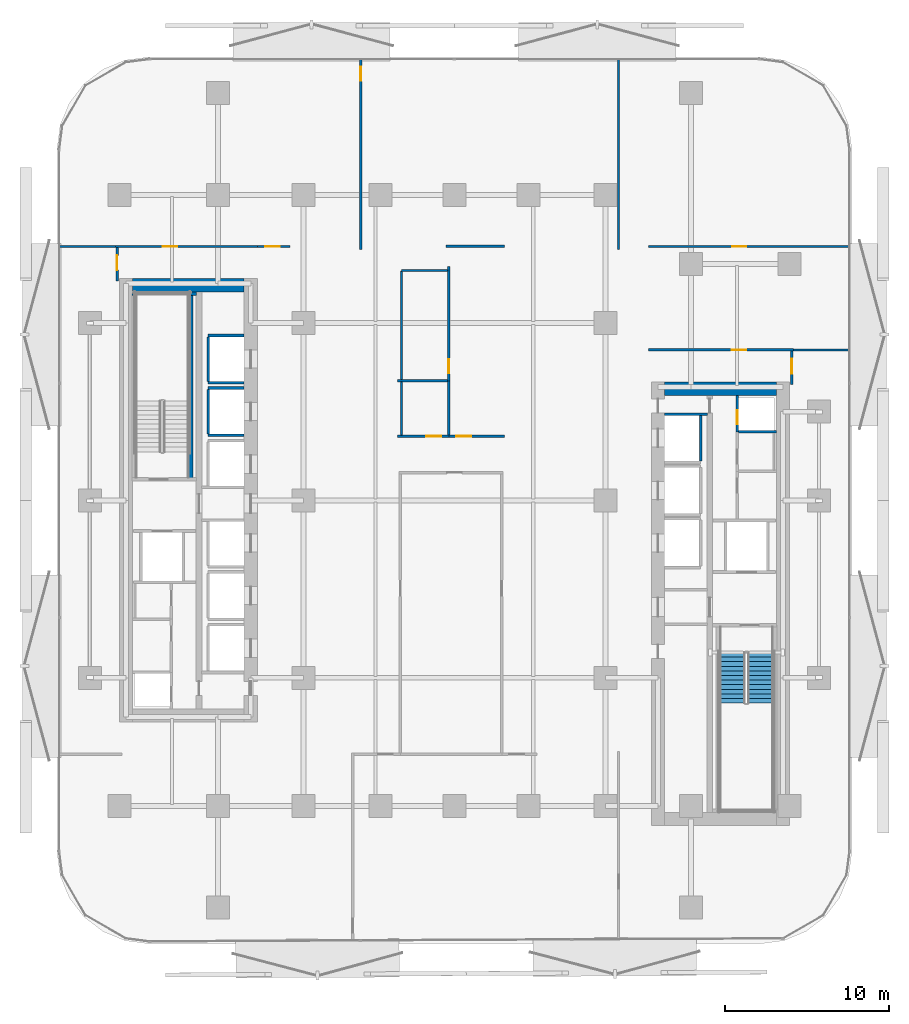
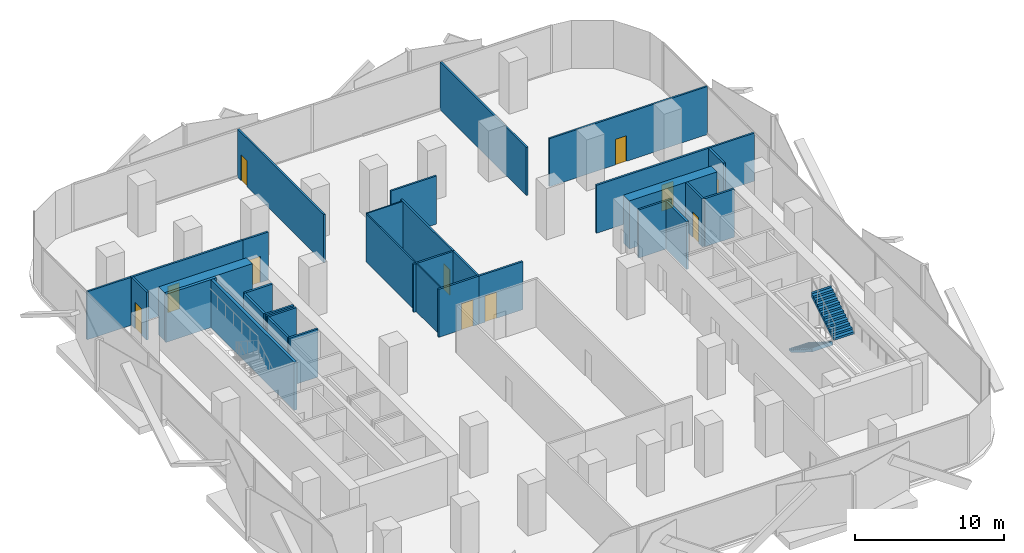
# One storey, part 5 of 15: 33 walls, 11 doors, 2 stair flights, 11 openings, 1 element without a shape of its own.
"""IFC4 building model written with IfcOpenShell, lengths in metres."""

from ifc_helpers import new_model, si_unit, direction, frame, frame_2d, origin, place, context, subcontext, project, spatial, polyline, rectangle, outline, extrude, material, layer, layer_set, type_object, element, fill, aggregate, save


model = new_model("IFC4")

# Units and contexts
model_context = context("Model", 3, precision=1e-05, world=origin(), true_north=direction((0.0, 1.0)))
body_context = subcontext(model_context, "Body", "Model", "MODEL_VIEW")
ifc_project = project(units=[si_unit("LENGTHUNIT", "METRE"), si_unit("AREAUNIT", "SQUARE_METRE"), si_unit("VOLUMEUNIT", "CUBIC_METRE"), si_unit("PLANEANGLEUNIT", "RADIAN"), si_unit("MASSUNIT", "GRAM", prefix="KILO")], contexts=[model_context])

# Site, building, storey
site_placement = place(None, origin())
site = spatial("IfcSite", under=ifc_project, at=site_placement, CompositionType="ELEMENT")
building_placement = place(site_placement, origin())
building = spatial("IfcBuilding", under=site, at=building_placement, Name="Khairoan Windgate Tower", CompositionType="ELEMENT")
storey_placement = place(building_placement, frame((0.0, 0.0, 38.60009765625)))
storey = spatial("IfcBuildingStorey", under=building, at=storey_placement, Name="L09", CompositionType="ELEMENT", Elevation=38.60009765625)

# Walls
ifc_material_1 = material(Name="Moisture-Resistant Gypsum Partition", Category="gypsum")
ifc_layer_1 = layer(ifc_material_1, 0.10009765625, Name="Moisture-Resistant Gypsum Partition")
ifc_layer_set_1 = layer_set([ifc_layer_1], Name="Moisture-Resistant Gypsum Partition")
wall_type_1 = type_object("IfcWallType", Name="Bathroom Wet-Area Partition Wall", PredefinedType="PARTITIONING", material=ifc_layer_set_1)
wall_1_placement = place(storey_placement, frame((-3.219970703125, 3.97998046875, 0.0), z_axis=(0.0, 0.0, 1.0), x_axis=(0.0, 1.0, 0.0)))
element("IfcWall", 1, at=wall_1_placement, inside=storey, type_object=wall_type_1, Name="L09 Wet Room Side Wall 038", PredefinedType="PARTITIONING", context=body_context, shape_type="SweptSolid", body=[
    extrude(rectangle(XDim=3.22998046875, YDim=0.10009765625, at=frame_2d((1.614990234375, 0.0))), origin(), (0.0, 0.0, 1.0), 3.93994140625),
])
wall_2_placement = place(storey_placement, frame((-3.219970703125, 14.0, 0.0), z_axis=(0.0, 0.0, 1.0), x_axis=(1.0, 0.0, 0.0)))
element("IfcWall", 2, at=wall_2_placement, inside=storey, type_object=wall_type_1, Name="L09 Wet Room Side Wall 039", PredefinedType="PARTITIONING", context=body_context, shape_type="SweptSolid", body=[
    extrude(rectangle(XDim=2.81005859375, YDim=0.10009765625, at=frame_2d((1.405029296875, 0.0))), origin(), (0.0, 0.0, 1.0), 3.93994140625),
])
wall_3_placement = place(storey_placement, frame((-3.219970703125, 7.35009765625, 0.0), z_axis=(0.0, 0.0, 1.0), x_axis=(0.0, 1.0, 0.0)))
element("IfcWall", 3, at=wall_3_placement, inside=storey, type_object=wall_type_1, Name="L09 Wet Room Side Wall 040", PredefinedType="PARTITIONING", context=body_context, shape_type="SweptSolid", body=[
    extrude(rectangle(XDim=6.599853515625, YDim=0.10009765625, at=frame_2d((3.2998046875, 0.0))), origin(), (0.0, 0.0, 1.0), 3.93994140625),
])
ifc_material_2 = material(Name="Concrete C40/50", Category="concrete")
ifc_layer_2 = layer(ifc_material_2, 0.159912109375, Name="Concrete C40/50")
ifc_layer_set_2 = layer_set([ifc_layer_2], Name="Concrete C40/50")
wall_type_2 = type_object("IfcWallType", Name="Core and Hoistway Enclosure Wall", PredefinedType="STANDARD", material=ifc_layer_set_2)
for number, where, z_axis, x_axis, name in (
    (4, (-14.989990234375, 7.159912109375, 0.0), (0.0, 0.0, 1.0), (1.0, 0.0, 0.0), "L09 Lift PL1 Hoistway Divider S"),
    (5, (-14.989990234375, 10.0400390625, 0.0), (0.0, 0.0, 1.0), (1.0, 0.0, 0.0), "L09 Lift PL1 Hoistway Divider N"),
):
    element("IfcWall", number, at=place(storey_placement, frame(where, z_axis=z_axis, x_axis=x_axis)), inside=storey, type_object=wall_type_2, Name=name, PredefinedType="STANDARD", context=body_context, shape_type="SweptSolid", body=[
        extrude(rectangle(XDim=2.18994140625, YDim=0.159912109375, at=frame_2d((1.094970703125, 0.0))), origin(), (0.0, 0.0, 1.0), 3.93994140625),
    ])
wall_4_placement = place(storey_placement, frame((-14.989990234375, 7.25, 0.0), z_axis=(0.0, 0.0, 1.0), x_axis=(0.0, 1.0, 0.0)))
element("IfcWall", 6, at=wall_4_placement, inside=storey, type_object=wall_type_2, Name="L09 Lift PL1 Hoistway Back Wall", PredefinedType="STANDARD", context=body_context, shape_type="SweptSolid", body=[
    extrude(rectangle(XDim=2.699951171875, YDim=0.159912109375, at=frame_2d((1.35009765625, 0.0))), origin(), (0.0, 0.0, 1.0), 3.93994140625),
])
for number, where, z_axis, x_axis, name in (
    (7, (-14.989990234375, 3.9599609375, 0.0), (0.0, 0.0, 1.0), (1.0, 0.0, 0.0), "L09 Lift PL2 Hoistway Divider S"),
    (8, (-14.989990234375, 6.840087890625, 0.0), (0.0, 0.0, 1.0), (1.0, 0.0, 0.0), "L09 Lift PL2 Hoistway Divider N"),
):
    element("IfcWall", number, at=place(storey_placement, frame(where, z_axis=z_axis, x_axis=x_axis)), inside=storey, type_object=wall_type_2, Name=name, PredefinedType="STANDARD", context=body_context, shape_type="SweptSolid", body=[
        extrude(rectangle(XDim=2.18994140625, YDim=0.159912109375, at=frame_2d((1.094970703125, 0.0))), origin(), (0.0, 0.0, 1.0), 3.93994140625),
    ])
wall_5_placement = place(storey_placement, frame((-14.989990234375, 4.050048828125, 0.0), z_axis=(0.0, 0.0, 1.0), x_axis=(0.0, 1.0, 0.0)))
element("IfcWall", 9, at=wall_5_placement, inside=storey, type_object=wall_type_2, Name="L09 Lift PL2 Hoistway Back Wall", PredefinedType="STANDARD", context=body_context, shape_type="SweptSolid", body=[
    extrude(rectangle(XDim=2.699951171875, YDim=0.159912109375, at=frame_2d((1.35009765625, 0.0))), origin(), (0.0, 0.0, 1.0), 3.93994140625),
])
wall_6_placement = place(storey_placement, frame((14.989990234375, 2.39990234375, 0.0), z_axis=(0.0, 0.0, 1.0), x_axis=(0.0, 1.0, 0.0)))
element("IfcWall", 10, at=wall_6_placement, inside=storey, type_object=wall_type_2, Name="L09 Lift PL7 Hoistway Back Wall", PredefinedType="STANDARD", context=body_context, shape_type="SweptSolid", body=[
    extrude(rectangle(XDim=2.800048828125, YDim=0.159912109375, at=frame_2d((1.39990234375, 0.0))), origin(), (0.0, 0.0, 1.0), 3.93994140625),
])
wall_7_placement = place(storey_placement, frame((12.800048828125, 5.25, 0.0), z_axis=(0.0, 0.0, 1.0), x_axis=(1.0, 0.0, 0.0)))
element("IfcWall", 11, at=wall_7_placement, inside=storey, type_object=wall_type_2, Name="L09 Core Shaft Wall SW-ESV-L09", PredefinedType="STANDARD", context=body_context, shape_type="SweptSolid", body=[
    extrude(rectangle(XDim=2.599853515625, YDim=0.159912109375, at=frame_2d((1.2998046875, 0.0))), origin(), (0.0, 0.0, 1.0), 3.93994140625),
])
ifc_material_3 = material(Name="Acoustic Fire-Rated Gypsum Partition", Category="gypsum")
ifc_layer_3 = layer(ifc_material_3, 0.139892578125, Name="Acoustic Fire-Rated Gypsum Partition")
ifc_layer_set_3 = layer_set([ifc_layer_3], Name="Acoustic Fire-Rated Gypsum Partition")
wall_type_3 = type_object("IfcWallType", Name="Inter-Tenancy Compartment Wall", PredefinedType="PARTITIONING", material=ifc_layer_set_3)
for number, where, z_axis, x_axis, name in (
    (12, (-24.054931640625, 15.4599609375, 0.0), (0.0, 0.0, 1.0), (1.0, 0.0, 0.0), "L09 Interior Partition 023"),
    (13, (20.639892578125, 9.159912109375, 0.0), (0.0, 0.0, 1.0), (1.0, 0.0, 0.0), "L09 Interior Partition 025"),
):
    element("IfcWall", number, at=place(storey_placement, frame(where, z_axis=z_axis, x_axis=x_axis)), inside=storey, type_object=wall_type_3, Name=name, PredefinedType="PARTITIONING", context=body_context, shape_type="SweptSolid", body=[
        extrude(rectangle(XDim=3.4150390625, YDim=0.139892578125, at=frame_2d((1.70751953125, 0.0))), origin(), (0.0, 0.0, 1.0), 3.93994140625),
    ])

# Wall, opening, door
wall_8_placement = place(storey_placement, frame((11.81005859375, 15.4599609375, 0.0), z_axis=(0.0, 0.0, 1.0), x_axis=(1.0, 0.0, 0.0)))
wall_8 = element("IfcWall", 14, at=wall_8_placement, inside=storey, type_object=wall_type_3, Name="L09 Interior Partition 026", PredefinedType="PARTITIONING", context=body_context, shape_type="SweptSolid", body=[
    extrude(rectangle(XDim=12.244873046875, YDim=0.139892578125, at=frame_2d((6.12255859375, 0.0))), origin(), (0.0, 0.0, 1.0), 3.93994140625),
])
opening_1_placement = place(wall_8_placement, frame((5.09326171875, 0.0, 0.0)))
opening_1 = element("IfcOpeningElement", 15, at=opening_1_placement, cuts=wall_8, Name="Opening FD-SRV", PredefinedType="OPENING", context=body_context, shape_type="SweptSolid", body=[
    extrude(rectangle(XDim=0.85009765625, YDim=2.10009765625, at=frame_2d((0.425048828125, 1.050048828125))), frame((0.0, 0.079833984375, 0.0), z_axis=(0.0, -1.0, 0.0), x_axis=(1.0, 0.0, 0.0)), (0.0, 0.0, 1.0), 0.159912109375),
])
ifc_material_4 = material(Name="Steel S355", Category="steel")
door_type_1 = type_object("IfcDoorType", Name="Core Service and Riser Fire Door FD-SRV 850x2100", OperationType="NOTDEFINED", PredefinedType="DOOR", material=ifc_material_4)
door_1_placement = place(opening_1_placement, origin())
door_1 = element("IfcDoor", 16, at=door_1_placement, inside=storey, type_object=door_type_1, Name="L09 L09-38-L09-41 Door", OperationType="SINGLE_SWING_RIGHT", OverallHeight=2.10009765625, OverallWidth=0.85009765625, PredefinedType="DOOR", context=body_context, shape_type="SweptSolid", body=[
    extrude(rectangle(XDim=0.85009765625, YDim=2.10009765625, at=frame_2d((0.425048828125, 1.050048828125))), frame((0.0, 0.02490234375, 0.0), z_axis=(0.0, -1.0, 0.0), x_axis=(1.0, 0.0, 0.0)), (0.0, 0.0, 1.0), 0.050048828125),
])
fill(opening_1, door_1)

wall_9_placement = place(storey_placement, frame((-5.7119140625, 15.280029296875, 0.0), z_axis=(0.0, 0.0, 1.0), x_axis=(0.0, 1.0, 0.0)))
wall_9 = element("IfcWall", 17, at=wall_9_placement, inside=storey, type_object=wall_type_3, Name="L09 Interior Partition 027", PredefinedType="PARTITIONING", context=body_context, shape_type="SweptSolid", body=[
    extrude(rectangle(XDim=11.574951171875, YDim=0.139892578125, at=frame_2d((5.78759765625, 0.0))), origin(), (0.0, 0.0, 1.0), 3.93994140625),
])
opening_2_placement = place(wall_9_placement, frame((10.264892578125, 0.0, 0.0)))
opening_2 = element("IfcOpeningElement", 18, at=opening_2_placement, cuts=wall_9, Name="Opening FD-SRV", PredefinedType="OPENING", context=body_context, shape_type="SweptSolid", body=[
    extrude(rectangle(XDim=0.85009765625, YDim=2.10009765625, at=frame_2d((0.425048828125, 1.050048828125))), frame((0.0, 0.079833984375, 0.0), z_axis=(0.0, -1.0, 0.0), x_axis=(1.0, 0.0, 0.0)), (0.0, 0.0, 1.0), 0.159912109375),
])
door_2_placement = place(opening_2_placement, origin())
door_2 = element("IfcDoor", 19, at=door_2_placement, inside=storey, type_object=door_type_1, Name="L09 L09-39-L09-40 Door", OperationType="SINGLE_SWING_LEFT", OverallHeight=2.10009765625, OverallWidth=0.85009765625, PredefinedType="DOOR", context=body_context, shape_type="SweptSolid", body=[
    extrude(rectangle(XDim=0.85009765625, YDim=2.10009765625, at=frame_2d((0.425048828125, 1.050048828125))), frame((0.0, 0.02490234375, 0.0), z_axis=(0.0, -1.0, 0.0), x_axis=(1.0, 0.0, 0.0)), (0.0, 0.0, 1.0), 0.050048828125),
])
fill(opening_2, door_2)

# Walls
wall_10_placement = place(storey_placement, frame((9.99609375, 15.280029296875, 0.0), z_axis=(0.0, 0.0, 1.0), x_axis=(0.0, 1.0, 0.0)))
element("IfcWall", 20, at=wall_10_placement, inside=storey, type_object=wall_type_3, Name="L09 Interior Partition 028", PredefinedType="PARTITIONING", context=body_context, shape_type="SweptSolid", body=[
    extrude(rectangle(XDim=11.574951171875, YDim=0.139892578125, at=frame_2d((5.78759765625, 0.0))), origin(), (0.0, 0.0, 1.0), 3.93994140625),
])
wall_11_placement = place(storey_placement, frame((-0.5, 15.47998046875, 0.0), z_axis=(0.0, 0.0, 1.0), x_axis=(1.0, 0.0, 0.0)))
element("IfcWall", 21, at=wall_11_placement, inside=storey, type_object=wall_type_3, Name="L09 Interior Partition 029", PredefinedType="PARTITIONING", context=body_context, shape_type="SweptSolid", body=[
    extrude(rectangle(XDim=3.56005859375, YDim=0.139892578125, at=frame_2d((1.780029296875, 0.0))), origin(), (0.0, 0.0, 1.0), 3.93994140625),
])
wall_12_placement = place(storey_placement, frame((-3.4599609375, 7.280029296875, 0.0), z_axis=(0.0, 0.0, 1.0), x_axis=(1.0, 0.0, 0.0)))
element("IfcWall", 22, at=wall_12_placement, inside=storey, type_object=wall_type_3, Name="L09 Interior Partition 033", PredefinedType="PARTITIONING", context=body_context, shape_type="SweptSolid", body=[
    extrude(rectangle(XDim=3.050048828125, YDim=0.139892578125, at=frame_2d((1.52490234375, 0.0))), origin(), (0.0, 0.0, 1.0), 3.93994140625),
])
wall_13_placement = place(storey_placement, frame((-0.340087890625, 3.97998046875, 0.0), z_axis=(0.0, 0.0, 1.0), x_axis=(0.0, 1.0, 0.0)))
element("IfcWall", 23, at=wall_13_placement, inside=storey, type_object=wall_type_3, Name="L09 Interior Partition 034", PredefinedType="PARTITIONING", context=body_context, shape_type="SweptSolid", body=[
    extrude(rectangle(XDim=3.300048828125, YDim=0.139892578125, at=frame_2d((1.64990234375, 0.0))), origin(), (0.0, 0.0, 1.0), 3.93994140625),
])

# Wall, opening, door
wall_14_placement = place(storey_placement, frame((-0.340087890625, 7.280029296875, 0.0), z_axis=(0.0, 0.0, 1.0), x_axis=(0.0, 1.0, 0.0)))
wall_14 = element("IfcWall", 24, at=wall_14_placement, inside=storey, type_object=wall_type_3, Name="L09 Interior Partition 035", PredefinedType="PARTITIONING", context=body_context, shape_type="SweptSolid", body=[
    extrude(rectangle(XDim=6.9599609375, YDim=0.139892578125, at=frame_2d((3.47998046875, 0.0))), origin(), (0.0, 0.0, 1.0), 3.93994140625),
])
opening_3_placement = place(wall_14_placement, frame((0.4599609375, 0.0, 0.0)))
opening_3 = element("IfcOpeningElement", 25, at=opening_3_placement, cuts=wall_14, Name="Opening FD-SRV", PredefinedType="OPENING", context=body_context, shape_type="SweptSolid", body=[
    extrude(rectangle(XDim=0.85009765625, YDim=2.10009765625, at=frame_2d((0.425048828125, 1.050048828125))), frame((0.0, 0.079833984375, 0.0), z_axis=(0.0, -1.0, 0.0), x_axis=(1.0, 0.0, 0.0)), (0.0, 0.0, 1.0), 0.159912109375),
])
door_3_placement = place(opening_3_placement, origin())
door_3 = element("IfcDoor", 26, at=door_3_placement, inside=storey, type_object=door_type_1, Name="L09 L09-46-L09-47 Door", OperationType="SINGLE_SWING_RIGHT", OverallHeight=2.10009765625, OverallWidth=0.85009765625, PredefinedType="DOOR", context=body_context, shape_type="SweptSolid", body=[
    extrude(rectangle(XDim=0.85009765625, YDim=2.10009765625, at=frame_2d((0.425048828125, 1.050048828125))), frame((0.0, 0.02490234375, 0.0), z_axis=(0.0, -1.0, 0.0), x_axis=(1.0, 0.0, 0.0)), (0.0, 0.0, 1.0), 0.050048828125),
])
fill(opening_3, door_3)

ifc_material_5 = material(Name="Concrete C40/50", Category="concrete")
ifc_layer_4 = layer(ifc_material_5, 0.159912109375, Name="Concrete C40/50")
ifc_layer_set_4 = layer_set([ifc_layer_4], Name="Concrete C40/50")
wall_type_4 = type_object("IfcWallType", Name="Plant and Refuge Compartment Wall", PredefinedType="PARTITIONING", material=ifc_layer_set_4)
wall_15_placement = place(storey_placement, frame((17.22998046875, 4.169921875, 0.0), z_axis=(0.0, 0.0, 1.0), x_axis=(0.0, 1.0, 0.0)))
wall_15 = element("IfcWall", 27, at=wall_15_placement, inside=storey, type_object=wall_type_4, Name="L09 Interior Partition 006", PredefinedType="PARTITIONING", context=body_context, shape_type="SweptSolid", body=[
    extrude(rectangle(XDim=2.22998046875, YDim=0.159912109375, at=frame_2d((1.114990234375, 0.0))), origin(), (0.0, 0.0, 1.0), 3.93994140625),
])
opening_4_placement = place(wall_15_placement, frame((0.4599609375, 0.0, 0.0)))
opening_4 = element("IfcOpeningElement", 28, at=opening_4_placement, cuts=wall_15, Name="Opening FD-SRV", PredefinedType="OPENING", context=body_context, shape_type="SweptSolid", body=[
    extrude(rectangle(XDim=0.85009765625, YDim=2.10009765625, at=frame_2d((0.425048828125, 1.050048828125))), frame((0.0, 0.08984375, 0.0), z_axis=(0.0, -1.0, 0.0), x_axis=(1.0, 0.0, 0.0)), (0.0, 0.0, 1.0), 0.179931640625),
])
door_4_placement = place(opening_4_placement, origin())
door_4 = element("IfcDoor", 29, at=door_4_placement, inside=storey, type_object=door_type_1, Name="L09 L09-19-L09-20 Door", OperationType="SINGLE_SWING_LEFT", OverallHeight=2.10009765625, OverallWidth=0.85009765625, PredefinedType="DOOR", context=body_context, shape_type="SweptSolid", body=[
    extrude(rectangle(XDim=0.85009765625, YDim=2.10009765625, at=frame_2d((0.425048828125, 1.050048828125))), frame((0.0, 0.02490234375, 0.0), z_axis=(0.0, -1.0, 0.0), x_axis=(1.0, 0.0, 0.0)), (0.0, 0.0, 1.0), 0.050048828125),
])
fill(opening_4, door_4)

# Wall
wall_16_placement = place(storey_placement, frame((17.31005859375, 4.169921875, 0.0), z_axis=(0.0, 0.0, 1.0), x_axis=(1.0, 0.0, 0.0)))
element("IfcWall", 30, at=wall_16_placement, inside=storey, type_object=wall_type_4, Name="L09 Interior Partition 009", PredefinedType="PARTITIONING", context=body_context, shape_type="SweptSolid", body=[
    extrude(rectangle(XDim=2.2900390625, YDim=0.159912109375, at=frame_2d((1.14501953125, 0.0))), origin(), (0.0, 0.0, 1.0), 3.93994140625),
])

# Wall, opening, door
ifc_material_6 = material(Name="Acoustic Fire-Rated Gypsum Partition", Category="gypsum")
ifc_layer_5 = layer(ifc_material_6, 0.14990234375, Name="Acoustic Fire-Rated Gypsum Partition")
ifc_layer_set_5 = layer_set([ifc_layer_5], Name="Acoustic Fire-Rated Gypsum Partition")
wall_type_5 = type_object("IfcWallType", Name="Rated Corridor Partition Wall", PredefinedType="PARTITIONING", material=ifc_layer_set_5)
wall_17_placement = place(storey_placement, frame((-11.989990234375, 15.4599609375, 0.0), z_axis=(0.0, 0.0, 1.0), x_axis=(1.0, 0.0, 0.0)))
wall_17 = element("IfcWall", 31, at=wall_17_placement, inside=storey, type_object=wall_type_5, Name="L09 Interior Partition 011", PredefinedType="PARTITIONING", context=body_context, shape_type="SweptSolid", body=[
    extrude(rectangle(XDim=1.97998046875, YDim=0.14990234375, at=frame_2d((0.989990234375, 0.0))), origin(), (0.0, 0.0, 1.0), 3.93994140625),
])
opening_5_placement = place(wall_17_placement, frame((0.4599609375, 0.0, 0.0)))
opening_5 = element("IfcOpeningElement", 32, at=opening_5_placement, cuts=wall_17, Name="Opening FD-ENT", PredefinedType="OPENING", context=body_context, shape_type="SweptSolid", body=[
    extrude(rectangle(XDim=0.89990234375, YDim=2.14990234375, at=frame_2d((0.449951171875, 1.074951171875))), frame((0.0, 0.0849609375, 0.0), z_axis=(0.0, -1.0, 0.0), x_axis=(1.0, 0.0, 0.0)), (0.0, 0.0, 1.0), 0.169921875),
])
ifc_material_7 = material(Name="Timber Fire-Rated Core", Category="wood")
door_type_2 = type_object("IfcDoorType", Name="Unit and Office Fire Entrance Door FD-ENT 900x2150", OperationType="NOTDEFINED", PredefinedType="DOOR", material=ifc_material_7)
door_5_placement = place(opening_5_placement, origin())
door_5 = element("IfcDoor", 33, at=door_5_placement, inside=storey, type_object=door_type_2, Name="L09 L09-29-L09-39 Door", OperationType="SINGLE_SWING_RIGHT", OverallHeight=2.14990234375, OverallWidth=0.89990234375, PredefinedType="DOOR", context=body_context, shape_type="SweptSolid", body=[
    extrude(rectangle(XDim=0.89990234375, YDim=2.14990234375, at=frame_2d((0.449951171875, 1.074951171875))), frame((0.0, 0.02490234375, 0.0), z_axis=(0.0, -1.0, 0.0), x_axis=(1.0, 0.0, 0.0)), (0.0, 0.0, 1.0), 0.050048828125),
])
fill(opening_5, door_5)

wall_18_placement = place(storey_placement, frame((-3.4599609375, 3.905029296875, 0.0), z_axis=(0.0, 0.0, 1.0), x_axis=(1.0, 0.0, 0.0)))
wall_18 = element("IfcWall", 34, at=wall_18_placement, inside=storey, type_object=wall_type_5, Name="L09 Interior Partition 012", PredefinedType="PARTITIONING", context=body_context, shape_type="SweptSolid", body=[
    extrude(rectangle(XDim=3.119873046875, YDim=0.14990234375, at=frame_2d((1.56005859375, 0.0))), origin(), (0.0, 0.0, 1.0), 3.93994140625),
])
opening_6_placement = place(wall_18_placement, frame((1.760009765625, 0.0, 0.0)))
opening_6 = element("IfcOpeningElement", 35, at=opening_6_placement, cuts=wall_18, Name="Opening FD-ENT", PredefinedType="OPENING", context=body_context, shape_type="SweptSolid", body=[
    extrude(rectangle(XDim=0.89990234375, YDim=2.14990234375, at=frame_2d((0.449951171875, 1.074951171875))), frame((0.0, 0.0849609375, 0.0), z_axis=(0.0, -1.0, 0.0), x_axis=(1.0, 0.0, 0.0)), (0.0, 0.0, 1.0), 0.169921875),
])
door_6_placement = place(opening_6_placement, origin())
door_6 = element("IfcDoor", 36, at=door_6_placement, inside=storey, type_object=door_type_2, Name="L09 L09-31-L09-45 Door", OperationType="SINGLE_SWING_LEFT", OverallHeight=2.14990234375, OverallWidth=0.89990234375, PredefinedType="DOOR", context=body_context, shape_type="SweptSolid", body=[
    extrude(rectangle(XDim=0.89990234375, YDim=2.14990234375, at=frame_2d((0.449951171875, 1.074951171875))), frame((0.0, 0.02490234375, 0.0), z_axis=(0.0, -1.0, 0.0), x_axis=(1.0, 0.0, 0.0)), (0.0, 0.0, 1.0), 0.050048828125),
])
fill(opening_6, door_6)

wall_19_placement = place(storey_placement, frame((-0.340087890625, 3.905029296875, 0.0), z_axis=(0.0, 0.0, 1.0), x_axis=(1.0, 0.0, 0.0)))
wall_19 = element("IfcWall", 37, at=wall_19_placement, inside=storey, type_object=wall_type_5, Name="L09 Interior Partition 013", PredefinedType="PARTITIONING", context=body_context, shape_type="SweptSolid", body=[
    extrude(rectangle(XDim=3.400146484375, YDim=0.14990234375, at=frame_2d((1.7001953125, 0.0))), origin(), (0.0, 0.0, 1.0), 3.93994140625),
])
opening_7_placement = place(wall_19_placement, frame((0.4599609375, 0.0, 0.0)))
opening_7 = element("IfcOpeningElement", 38, at=opening_7_placement, cuts=wall_19, Name="Opening FD-ENT", PredefinedType="OPENING", context=body_context, shape_type="SweptSolid", body=[
    extrude(rectangle(XDim=0.89990234375, YDim=2.14990234375, at=frame_2d((0.449951171875, 1.074951171875))), frame((0.0, 0.0849609375, 0.0), z_axis=(0.0, -1.0, 0.0), x_axis=(1.0, 0.0, 0.0)), (0.0, 0.0, 1.0), 0.169921875),
])
door_7_placement = place(opening_7_placement, origin())
door_7 = element("IfcDoor", 39, at=door_7_placement, inside=storey, type_object=door_type_2, Name="L09 L09-31-L09-47 Door", OperationType="SINGLE_SWING_RIGHT", OverallHeight=2.14990234375, OverallWidth=0.89990234375, PredefinedType="DOOR", context=body_context, shape_type="SweptSolid", body=[
    extrude(rectangle(XDim=0.89990234375, YDim=2.14990234375, at=frame_2d((0.449951171875, 1.074951171875))), frame((0.0, 0.02490234375, 0.0), z_axis=(0.0, -1.0, 0.0), x_axis=(1.0, 0.0, 0.0)), (0.0, 0.0, 1.0), 0.050048828125),
])
fill(opening_7, door_7)

wall_20_placement = place(storey_placement, frame((-20.5400390625, 13.360107421875, 0.0), z_axis=(0.0, 0.0, 1.0), x_axis=(0.0, 1.0, 0.0)))
wall_20 = element("IfcWall", 40, at=wall_20_placement, inside=storey, type_object=wall_type_5, Name="L09 Interior Partition 019", PredefinedType="PARTITIONING", context=body_context, shape_type="SweptSolid", body=[
    extrude(rectangle(XDim=2.02490234375, YDim=0.14990234375, at=frame_2d((1.012451171875, 0.0))), origin(), (0.0, 0.0, 1.0), 3.93994140625),
])
opening_8_placement = place(wall_20_placement, frame((0.6650390625, 0.0, 0.0)))
opening_8 = element("IfcOpeningElement", 41, at=opening_8_placement, cuts=wall_20, Name="Opening FD-ENT", PredefinedType="OPENING", context=body_context, shape_type="SweptSolid", body=[
    extrude(rectangle(XDim=0.89990234375, YDim=2.14990234375, at=frame_2d((0.449951171875, 1.074951171875))), frame((0.0, 0.0849609375, 0.0), z_axis=(0.0, -1.0, 0.0), x_axis=(1.0, 0.0, 0.0)), (0.0, 0.0, 1.0), 0.169921875),
])
door_8_placement = place(opening_8_placement, origin())
door_8 = element("IfcDoor", 42, at=door_8_placement, inside=storey, type_object=door_type_2, Name="L09 L09-34-L09-36 Door", OperationType="SINGLE_SWING_RIGHT", OverallHeight=2.14990234375, OverallWidth=0.89990234375, PredefinedType="DOOR", context=body_context, shape_type="SweptSolid", body=[
    extrude(rectangle(XDim=0.89990234375, YDim=2.14990234375, at=frame_2d((0.449951171875, 1.074951171875))), frame((0.0, 0.02490234375, 0.0), z_axis=(0.0, -1.0, 0.0), x_axis=(1.0, 0.0, 0.0)), (0.0, 0.0, 1.0), 0.050048828125),
])
fill(opening_8, door_8)

wall_21_placement = place(storey_placement, frame((-20.639892578125, 15.4599609375, 0.0), z_axis=(0.0, 0.0, 1.0), x_axis=(1.0, 0.0, 0.0)))
wall_21 = element("IfcWall", 43, at=wall_21_placement, inside=storey, type_object=wall_type_5, Name="L09 Interior Partition 020", PredefinedType="PARTITIONING", context=body_context, shape_type="SweptSolid", body=[
    extrude(rectangle(XDim=8.64990234375, YDim=0.14990234375, at=frame_2d((4.324951171875, 0.0))), origin(), (0.0, 0.0, 1.0), 3.93994140625),
])
opening_9_placement = place(wall_21_placement, frame((2.87060546875, 0.0, 0.0)))
opening_9 = element("IfcOpeningElement", 44, at=opening_9_placement, cuts=wall_21, Name="Opening FD-ENT", PredefinedType="OPENING", context=body_context, shape_type="SweptSolid", body=[
    extrude(rectangle(XDim=0.89990234375, YDim=2.14990234375, at=frame_2d((0.449951171875, 1.074951171875))), frame((0.0, 0.0849609375, 0.0), z_axis=(0.0, -1.0, 0.0), x_axis=(1.0, 0.0, 0.0)), (0.0, 0.0, 1.0), 0.169921875),
])
door_9_placement = place(opening_9_placement, origin())
door_9 = element("IfcDoor", 45, at=door_9_placement, inside=storey, type_object=door_type_2, Name="L09 L09-34-L09-39 Door", OperationType="SINGLE_SWING_LEFT", OverallHeight=2.14990234375, OverallWidth=0.89990234375, PredefinedType="DOOR", context=body_context, shape_type="SweptSolid", body=[
    extrude(rectangle(XDim=0.89990234375, YDim=2.14990234375, at=frame_2d((0.449951171875, 1.074951171875))), frame((0.0, 0.02490234375, 0.0), z_axis=(0.0, -1.0, 0.0), x_axis=(1.0, 0.0, 0.0)), (0.0, 0.0, 1.0), 0.050048828125),
])
fill(opening_9, door_9)

wall_22_placement = place(storey_placement, frame((20.5400390625, 7.06005859375, 0.0), z_axis=(0.0, 0.0, 1.0), x_axis=(0.0, 1.0, 0.0)))
wall_22 = element("IfcWall", 46, at=wall_22_placement, inside=storey, type_object=wall_type_5, Name="L09 Interior Partition 021", PredefinedType="PARTITIONING", context=body_context, shape_type="SweptSolid", body=[
    extrude(rectangle(XDim=2.02490234375, YDim=0.14990234375, at=frame_2d((1.012451171875, 0.0))), origin(), (0.0, 0.0, 1.0), 3.93994140625),
])
opening_10_placement = place(wall_22_placement, frame((0.6650390625, 0.0, 0.0)))
opening_10 = element("IfcOpeningElement", 47, at=opening_10_placement, cuts=wall_22, Name="Opening FD-ENT", PredefinedType="OPENING", context=body_context, shape_type="SweptSolid", body=[
    extrude(rectangle(XDim=0.89990234375, YDim=2.14990234375, at=frame_2d((0.449951171875, 1.074951171875))), frame((0.0, 0.0849609375, 0.0), z_axis=(0.0, -1.0, 0.0), x_axis=(1.0, 0.0, 0.0)), (0.0, 0.0, 1.0), 0.169921875),
])
door_10_placement = place(opening_10_placement, origin())
door_10 = element("IfcDoor", 48, at=door_10_placement, inside=storey, type_object=door_type_2, Name="L09 L09-35-L09-37 Door", OperationType="SINGLE_SWING_RIGHT", OverallHeight=2.14990234375, OverallWidth=0.89990234375, PredefinedType="DOOR", context=body_context, shape_type="SweptSolid", body=[
    extrude(rectangle(XDim=0.89990234375, YDim=2.14990234375, at=frame_2d((0.449951171875, 1.074951171875))), frame((0.0, 0.02490234375, 0.0), z_axis=(0.0, -1.0, 0.0), x_axis=(1.0, 0.0, 0.0)), (0.0, 0.0, 1.0), 0.050048828125),
])
fill(opening_10, door_10)

wall_23_placement = place(storey_placement, frame((11.81005859375, 9.159912109375, 0.0), z_axis=(0.0, 0.0, 1.0), x_axis=(1.0, 0.0, 0.0)))
wall_23 = element("IfcWall", 49, at=wall_23_placement, inside=storey, type_object=wall_type_5, Name="L09 Interior Partition 022", PredefinedType="PARTITIONING", context=body_context, shape_type="SweptSolid", body=[
    extrude(rectangle(XDim=8.829833984375, YDim=0.14990234375, at=frame_2d((4.4150390625, 0.0))), origin(), (0.0, 0.0, 1.0), 3.93994140625),
])
opening_11_placement = place(wall_23_placement, frame((5.066650390625, 0.0, 0.0)))
opening_11 = element("IfcOpeningElement", 50, at=opening_11_placement, cuts=wall_23, Name="Opening FD-ENT", PredefinedType="OPENING", context=body_context, shape_type="SweptSolid", body=[
    extrude(rectangle(XDim=0.89990234375, YDim=2.14990234375, at=frame_2d((0.449951171875, 1.074951171875))), frame((0.0, 0.0849609375, 0.0), z_axis=(0.0, -1.0, 0.0), x_axis=(1.0, 0.0, 0.0)), (0.0, 0.0, 1.0), 0.169921875),
])
door_11_placement = place(opening_11_placement, origin())
door_11 = element("IfcDoor", 51, at=door_11_placement, inside=storey, type_object=door_type_2, Name="L09 L09-35-L09-38 Door", OperationType="SINGLE_SWING_LEFT", OverallHeight=2.14990234375, OverallWidth=0.89990234375, PredefinedType="DOOR", context=body_context, shape_type="SweptSolid", body=[
    extrude(rectangle(XDim=0.89990234375, YDim=2.14990234375, at=frame_2d((0.449951171875, 1.074951171875))), frame((0.0, 0.02490234375, 0.0), z_axis=(0.0, -1.0, 0.0), x_axis=(1.0, 0.0, 0.0)), (0.0, 0.0, 1.0), 0.050048828125),
])
fill(opening_11, door_11)

# Walls
ifc_material_8 = material(Name="Concrete C70/85", Category="concrete")
ifc_layer_6 = layer(ifc_material_8, 0.800048828125, Name="Concrete C70/85")
ifc_layer_set_6 = layer_set([ifc_layer_6], Name="Concrete C70/85")
wall_type_6 = type_object("IfcWallType", Name="Shear Wall CW-E1 800mm", PredefinedType="SHEAR", material=ifc_layer_set_6)
wall_24_placement = place(storey_placement, frame((12.800048828125, 6.800048828125, 0.0), z_axis=(0.0, 0.0, 1.0), x_axis=(1.0, 0.0, 0.0)))
element("IfcWall", 52, at=wall_24_placement, inside=storey, type_object=wall_type_6, Name="E Core North Shear Wall L09", PredefinedType="SHEAR", context=body_context, shape_type="SweptSolid", body=[
    extrude(rectangle(XDim=6.800048828125, YDim=0.800048828125, at=frame_2d((3.39990234375, 0.0))), origin(), (0.0, 0.0, 1.0), 3.93994140625),
])
ifc_material_9 = material(Name="Concrete C70/85", Category="concrete")
ifc_layer_7 = layer(ifc_material_9, 0.800048828125, Name="Concrete C70/85")
ifc_layer_set_7 = layer_set([ifc_layer_7], Name="Concrete C70/85")
wall_type_7 = type_object("IfcWallType", Name="Shear Wall CW-W1 800mm", PredefinedType="SHEAR", material=ifc_layer_set_7)
wall_25_placement = place(storey_placement, frame((-19.60009765625, 13.10009765625, 0.0), z_axis=(0.0, 0.0, 1.0), x_axis=(1.0, 0.0, 0.0)))
element("IfcWall", 53, at=wall_25_placement, inside=storey, type_object=wall_type_7, Name="W Core North Shear Wall L09", PredefinedType="SHEAR", context=body_context, shape_type="SweptSolid", body=[
    extrude(rectangle(XDim=6.800048828125, YDim=0.800048828125, at=frame_2d((3.39990234375, 0.0))), origin(), (0.0, 0.0, 1.0), 3.93994140625),
])
ifc_material_10 = material(Name="Concrete C50/60", Category="concrete")
ifc_layer_8 = layer(ifc_material_10, 0.219970703125, Name="Concrete C50/60")
ifc_layer_set_8 = layer_set([ifc_layer_8], Name="Concrete C50/60")
wall_type_8 = type_object("IfcWallType", Name="Shear Wall SW-ST 220mm", PredefinedType="SHEAR", material=ifc_layer_set_8)
wall_26_placement = place(storey_placement, frame((-16.0400390625, 1.2900390625, 0.0), z_axis=(0.0, 0.0, 1.0), x_axis=(0.0, 1.0, 0.0)))
element("IfcWall", 54, at=wall_26_placement, inside=storey, type_object=wall_type_8, Name="L09 Stair ST2 East Bearing Wall", PredefinedType="SHEAR", context=body_context, shape_type="SweptSolid", body=[
    extrude(rectangle(XDim=11.300048828125, YDim=0.219970703125, at=frame_2d((5.64990234375, 0.0))), origin(), (0.0, 0.0, 1.0), 3.93994140625),
])
wall_27_placement = place(storey_placement, frame((-19.6201171875, 12.590087890625, 0.0), z_axis=(0.0, 0.0, 1.0), x_axis=(1.0, 0.0, 0.0)))
element("IfcWall", 55, at=wall_27_placement, inside=storey, type_object=wall_type_8, Name="L09 Stair ST2 North Bearing Wall", PredefinedType="SHEAR", context=body_context, shape_type="SweptSolid", body=[
    extrude(rectangle(XDim=3.9150390625, YDim=0.219970703125, at=frame_2d((1.95751953125, 0.0))), origin(), (0.0, 0.0, 1.0), 3.93994140625),
])

# Stair, stair flights
ifc_material_11 = material(Name="Concrete C40/50", Category="concrete")
stair_type = type_object("IfcStairType", Name="Tower Core Dog-Leg Stair ST-T1 1560mm", PredefinedType="HALF_TURN_STAIR", material=ifc_material_11)
stair_placement = place(storey_placement, origin())
stair = element("IfcStair", 56, at=stair_placement, inside=storey, type_object=stair_type, Name="L09 Stair ST1", PredefinedType="HALF_TURN_STAIR")
ifc_material_12 = material(Name="Concrete C40/50", Category="concrete")
ifc_layer_9 = layer(ifc_material_12, 0.14990234375, Name="Concrete C40/50")
ifc_layer_set_9 = layer_set([ifc_layer_9], Name="Concrete C40/50")
stair_flight_type = type_object("IfcStairFlightType", Name="Tower Core Stair Flight STF-1560", PredefinedType="STRAIGHT", material=ifc_layer_set_9)
stair_flight_1_placement = place(storey_placement, frame((16.929931640625, -9.260009765625, 0.0), z_axis=(0.0, 0.0, 1.0), x_axis=(0.0, -1.0, 0.0)))
stair_flight_1 = element("IfcStairFlight", 57, at=stair_flight_1_placement, type_object=stair_flight_type, Name="ST1 flight 1", NumberOfRisers=12, NumberOfTreads=11, PredefinedType="STRAIGHT", RiserHeight=0.175, TreadLength=0.28, context=body_context, shape_type="SweptSolid", body=[
    extrude(outline(polyline([(-0.00390625, 0.0), (-0.00390625, 0.175048828125), (0.0, 0.175048828125), (0.280029296875, 0.175048828125), (0.280029296875, 0.35009765625), (0.56005859375, 0.35009765625), (0.56005859375, 0.52490234375), (0.840087890625, 0.52490234375), (0.840087890625, 0.699951171875), (1.1201171875, 0.699951171875), (1.1201171875, 0.875), (1.39990234375, 0.875), (1.39990234375, 1.050048828125), (1.679931640625, 1.050048828125), (1.679931640625, 1.22509765625), (1.9599609375, 1.22509765625), (1.9599609375, 1.39990234375), (2.239990234375, 1.39990234375), (2.239990234375, 1.574951171875), (2.52001953125, 1.574951171875), (2.52001953125, 1.75), (2.800048828125, 1.75), (2.800048828125, 1.925048828125), (3.080078125, 1.925048828125), (3.080078125, 2.10009765625), (3.083984375, 2.10009765625), (3.083984375, 1.748291015625), (0.28271484375, 0.0), (-0.00390625, 0.0)])), frame((0.0, 0.780029296875, 0.0), z_axis=(0.0, -1.0, 0.0), x_axis=(1.0, 0.0, 0.0)), (0.0, 0.0, 1.0), 1.56005859375),
])
stair_flight_2_placement = place(storey_placement, frame((18.639892578125, -12.340087890625, 2.099853515625), z_axis=(0.0, 0.0, 1.0), x_axis=(0.0, 1.0, 0.0)))
stair_flight_2 = element("IfcStairFlight", 58, at=stair_flight_2_placement, type_object=stair_flight_type, Name="ST1 flight 2", NumberOfRisers=12, NumberOfTreads=11, PredefinedType="STRAIGHT", RiserHeight=0.175, TreadLength=0.28, context=body_context, shape_type="SweptSolid", body=[
    extrude(outline(polyline([(-0.00390625, 0.0), (-0.00390625, 0.175048828125), (0.0, 0.175048828125), (0.280029296875, 0.175048828125), (0.280029296875, 0.35009765625), (0.56005859375, 0.35009765625), (0.56005859375, 0.52490234375), (0.840087890625, 0.52490234375), (0.840087890625, 0.699951171875), (1.1201171875, 0.699951171875), (1.1201171875, 0.875), (1.39990234375, 0.875), (1.39990234375, 1.050048828125), (1.679931640625, 1.050048828125), (1.679931640625, 1.22509765625), (1.9599609375, 1.22509765625), (1.9599609375, 1.39990234375), (2.239990234375, 1.39990234375), (2.239990234375, 1.574951171875), (2.52001953125, 1.574951171875), (2.52001953125, 1.75), (2.800048828125, 1.75), (2.800048828125, 1.925048828125), (3.080078125, 1.925048828125), (3.080078125, 2.10009765625), (3.083984375, 2.10009765625), (3.083984375, 1.748291015625), (0.28271484375, 0.0), (-0.00390625, 0.0)])), frame((0.0, 0.780029296875, 0.0), z_axis=(0.0, -1.0, 0.0), x_axis=(1.0, 0.0, 0.0)), (0.0, 0.0, 1.0), 1.56005859375),
])
aggregate(stair, [stair_flight_1, stair_flight_2])

save(model, "model.ifc")
